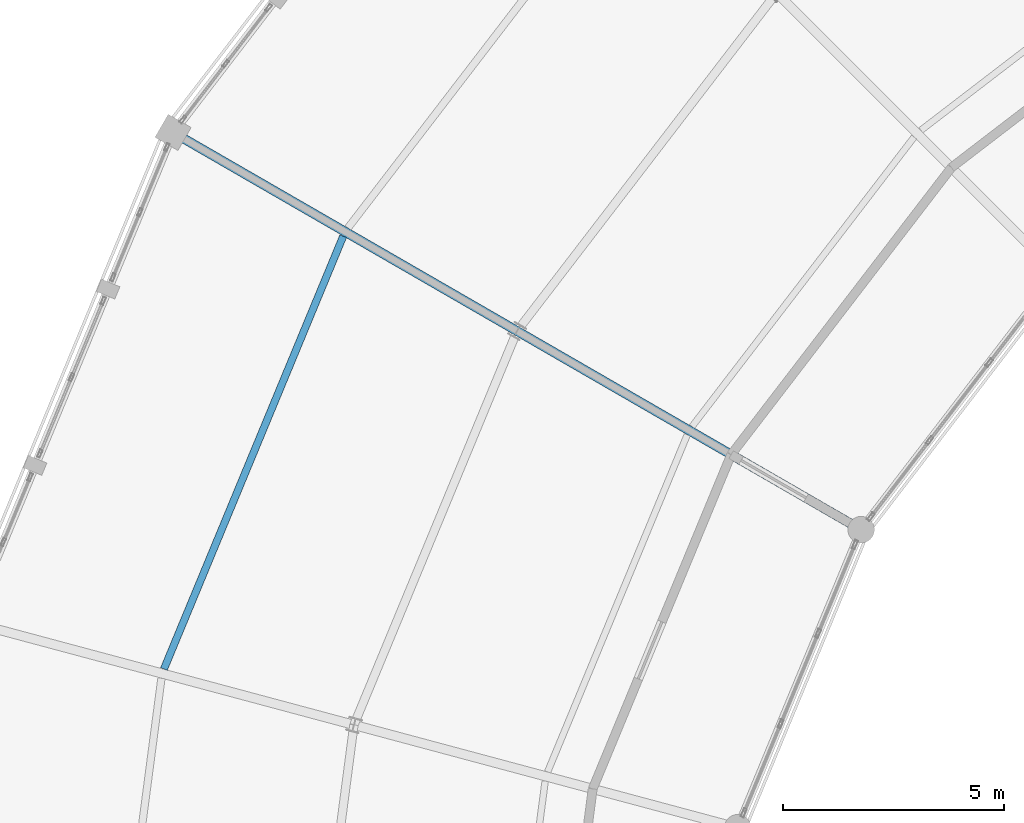
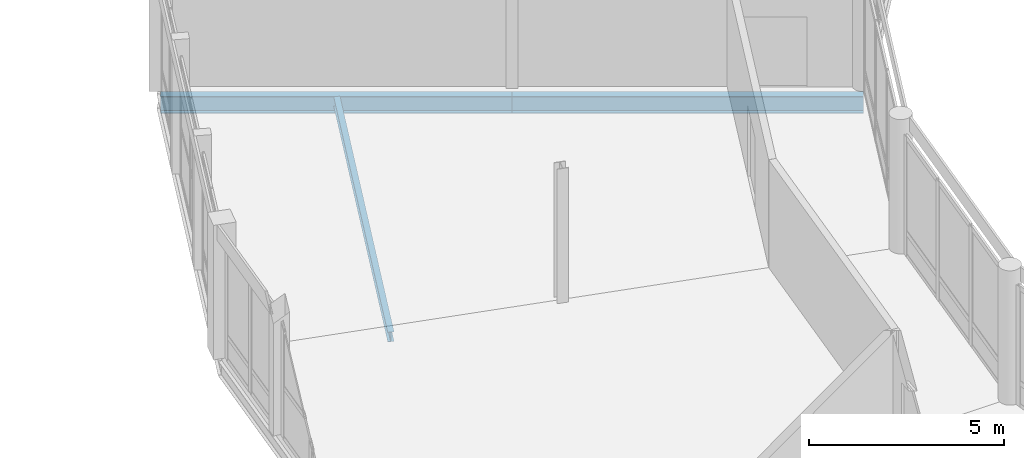
# One storey, part 65 of 170: 3 beams.
"""IFC4 building model written with IfcOpenShell, lengths in metres."""

from ifc_helpers import new_model, si_unit, direction, frame, origin, origin_2d, place, context, subcontext, project, spatial, i_section, extrude, material, material_profile, profile_set, type_object, element, save


model = new_model("IFC4")

# Units and contexts
model_context = context("Model", 3, precision=1e-05, world=origin(), true_north=direction((0.0, 1.0)))
body_context = subcontext(model_context, "Body", "Model", "MODEL_VIEW")
ifc_project = project(units=[si_unit("LENGTHUNIT", "METRE"), si_unit("AREAUNIT", "SQUARE_METRE"), si_unit("VOLUMEUNIT", "CUBIC_METRE"), si_unit("PLANEANGLEUNIT", "RADIAN"), si_unit("MASSUNIT", "GRAM", prefix="KILO")], contexts=[model_context])

# Site, building, storey
site_placement = place(None, origin())
site = spatial("IfcSite", under=ifc_project, at=site_placement, CompositionType="ELEMENT")
building_placement = place(site_placement, origin())
building = spatial("IfcBuilding", under=site, at=building_placement, Name="Vondelvale Polytechnic", CompositionType="ELEMENT")
storey_placement = place(building_placement, frame((0.0, 0.0, 5.39990234375)))
storey = spatial("IfcBuildingStorey", under=building, at=storey_placement, Name="L01", CompositionType="ELEMENT", Elevation=5.39990234375)

# Beams
ifc_material = material(Name="Steel 300PLUS (fy = 300 MPa)", Category="steel")
ifc_material_profile_1 = material_profile(ifc_material, i_section(OverallWidth=0.208984375, OverallDepth=0.532958984375, WebThickness=0.01025390625, FlangeThickness=0.015625, FilletRadius=0.013916015625, at=origin_2d()), Name="530UB92.4")
ifc_profile_set_1 = profile_set([ifc_material_profile_1], Name="Steel 300PLUS (fy = 300 MPa)")
beam_type_1 = type_object("IfcBeamType", Name="BM-UB530", PredefinedType="BEAM", material=ifc_profile_set_1)
for number, where, z_axis, x_axis, name in (
    (1, (77.751220703125, 86.0, -0.54638671875), (-0.866024315419, 0.5000018851, 0.0), (-0.5000018851, -0.866024315419, 0.0), "L01 RG B-11"),
    (2, (69.95703125, 90.5, -0.54638671875), (-0.866024315419, 0.5000018851, 0.0), (-0.5000018851, -0.866024315419, 0.0), "L01 RG B-11"),
):
    element("IfcBeam", number, at=place(storey_placement, frame(where, z_axis=z_axis, x_axis=x_axis)), inside=storey, type_object=beam_type_1, Name=name, PredefinedType="BEAM", context=body_context, shape_type="SweptSolid", body=[
        extrude(i_section(OverallWidth=0.208984375, OverallDepth=0.532958984375, WebThickness=0.01025390625, FlangeThickness=0.015625, FilletRadius=0.013916015625, at=origin_2d()), origin(), (0.0, 0.0, 1.0), 9.0),
    ])
ifc_material_profile_2 = material_profile(ifc_material, i_section(OverallWidth=0.1650390625, OverallDepth=0.303955078125, WebThickness=0.006103515625, FlangeThickness=0.01025390625, FilletRadius=0.011474609375, at=origin_2d()), Name="310UB40.4")
ifc_profile_set_2 = profile_set([ifc_material_profile_2], Name="Steel 300PLUS (fy = 300 MPa)")
beam_type_2 = type_object("IfcBeamType", Name="JST-UB310", PredefinedType="JOIST", material=ifc_profile_set_2)
beam_placement = place(storey_placement, frame((66.017822265625, 92.6484375, -0.431884765625), z_axis=(-0.382666002839, -0.923886751865, 0.0), x_axis=(0.923886751865, -0.382666002839, 0.0)))
element("IfcBeam", 3, at=beam_placement, inside=storey, type_object=beam_type_2, Name="L01 RJ J-05", PredefinedType="JOIST", context=body_context, shape_type="SweptSolid", body=[
    extrude(i_section(OverallWidth=0.1650390625, OverallDepth=0.303955078125, WebThickness=0.006103515625, FlangeThickness=0.01025390625, FilletRadius=0.011474609375, at=origin_2d()), origin(), (0.0, 0.0, 1.0), 10.61376953125),
])

save(model, "model.ifc")
